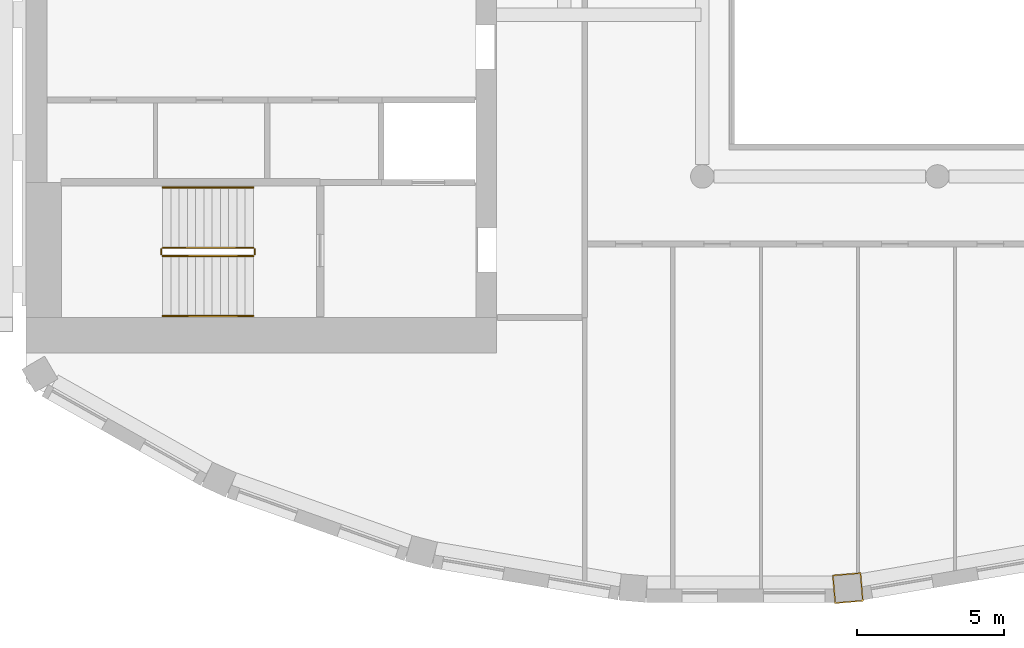
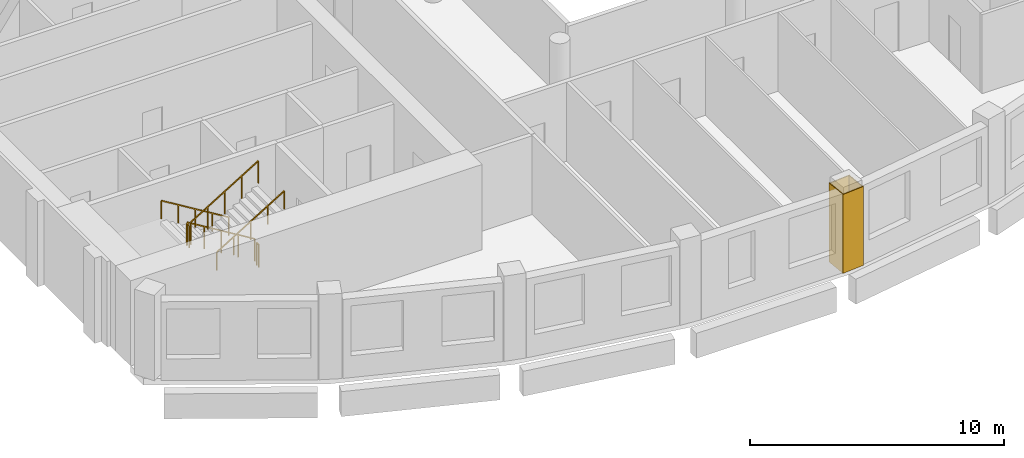
# One storey, part 11 of 15: 6 railings, 1 covering.
"""IFC4 building model written with IfcOpenShell, lengths in metres."""

from ifc_helpers import new_model, si_unit, direction, frame, origin, origin_2d, place, context, subcontext, project, spatial, polyline, rectangle, outline, extrude, material, layer, layer_set, type_object, element, save


model = new_model("IFC4")

# Units and contexts
model_context = context("Model", 3, precision=1e-05, world=origin(), true_north=direction((0.0, 1.0)))
body_context = subcontext(model_context, "Body", "Model", "MODEL_VIEW")
ifc_project = project(units=[si_unit("LENGTHUNIT", "METRE"), si_unit("AREAUNIT", "SQUARE_METRE"), si_unit("VOLUMEUNIT", "CUBIC_METRE"), si_unit("PLANEANGLEUNIT", "RADIAN"), si_unit("MASSUNIT", "GRAM", prefix="KILO")], contexts=[model_context])

# Site, building, storey
site_placement = place(None, origin())
site = spatial("IfcSite", under=ifc_project, at=site_placement, CompositionType="ELEMENT")
building_placement = place(site_placement, origin())
building = spatial("IfcBuilding", under=site, at=building_placement, Name="Cypress Arch Tower", CompositionType="ELEMENT")
storey_placement = place(building_placement, frame((0.0, 0.0, 313.10009765625)))
storey = spatial("IfcBuildingStorey", under=building, at=storey_placement, Name="L71", CompositionType="ELEMENT", Elevation=313.10009765625)

# Covering
ifc_material_1 = material(Name="Painted plasterboard column casing")
ifc_layer = layer(ifc_material_1, 0.0400390625)
ifc_layer_set = layer_set([ifc_layer], Name="Column casing CK40")
covering_type = type_object("IfcCoveringType", Name="Column casing CK40", PredefinedType="CLADDING", material=ifc_layer_set)
covering_placement = place(storey_placement, origin())
element("IfcCovering", 1, at=covering_placement, inside=storey, type_object=covering_type, Name="Column casing L71 CC15", PredefinedType="CLADDING", context=body_context, shape_type="SweptSolid", body=[
    extrude(outline(polyline([(-2.495361328125, -24.533203125), (-2.57861328125, -23.556884765625), (-1.602294921875, -23.473388671875), (-1.518798828125, -24.44970703125), (-2.495361328125, -24.533203125)]), holes=[polyline([(-2.458740234375, -24.489990234375), (-1.56201171875, -24.413330078125), (-1.638671875, -23.5166015625), (-2.535400390625, -23.59326171875), (-2.458740234375, -24.489990234375)])]), origin(), (0.0, 0.0, 1.0), 3.7998046875),
])

# Railings
ifc_material_2 = material(Name="Black powder-coated steel square bar 48 mm", Category="steel")
railing_type_1 = type_object("IfcRailingType", Name="Stair handrail HR1", PredefinedType="HANDRAIL", material=ifc_material_2)
railing_1_placement = place(storey_placement, frame((-22.27490234375, -10.375, 0.170654296875)))
element("IfcRailing", 2, at=railing_1_placement, inside=storey, type_object=railing_type_1, Name="L71 A stair handrail 1", PredefinedType="HANDRAIL", context=body_context, shape_type="SweptSolid", body=[
    extrude(rectangle(XDim=0.048095703125, YDim=0.048095703125, at=origin_2d()), frame((0.0, 0.0, 0.8759765625), z_axis=(-0.853666305674, 0.0, 0.52082035152), x_axis=(0.0, -1.0, 0.0)), (0.0, 0.0, 1.0), 3.608154296875),
    extrude(rectangle(XDim=0.0419921875, YDim=0.0419921875, at=origin_2d()), origin(), (0.0, 0.0, 1.0), 0.851806640625),
    extrude(rectangle(XDim=0.0419921875, YDim=0.0419921875, at=origin_2d()), frame((-0.77001953125, 0.0, 0.4697265625)), (0.0, 0.0, 1.0), 0.851806640625),
    extrude(rectangle(XDim=0.0419921875, YDim=0.0419921875, at=origin_2d()), frame((-1.5400390625, 0.0, 0.939453125)), (0.0, 0.0, 1.0), 0.851806640625),
    extrude(rectangle(XDim=0.0419921875, YDim=0.0419921875, at=origin_2d()), frame((-2.31005859375, 0.0, 1.409423828125)), (0.0, 0.0, 1.0), 0.851806640625),
    extrude(rectangle(XDim=0.0419921875, YDim=0.0419921875, at=origin_2d()), frame((-3.080078125, 0.0, 1.879150390625)), (0.0, 0.0, 1.0), 0.851806640625),
])
railing_2_placement = place(storey_placement, frame((-25.35498046875, -14.75, 2.220703125)))
element("IfcRailing", 3, at=railing_2_placement, inside=storey, type_object=railing_type_1, Name="L71 A stair handrail 2", PredefinedType="HANDRAIL", context=body_context, shape_type="SweptSolid", body=[
    extrude(rectangle(XDim=0.048095703125, YDim=0.048095703125, at=origin_2d()), frame((0.0, 0.0, 0.8759765625), z_axis=(0.853666305674, 0.0, 0.52082035152), x_axis=(0.0, 1.0, 0.0)), (0.0, 0.0, 1.0), 3.608154296875),
    extrude(rectangle(XDim=0.0419921875, YDim=0.0419921875, at=origin_2d()), origin(), (0.0, 0.0, 1.0), 0.851806640625),
    extrude(rectangle(XDim=0.0419921875, YDim=0.0419921875, at=origin_2d()), frame((0.77001953125, 0.0, 0.4697265625)), (0.0, 0.0, 1.0), 0.851806640625),
    extrude(rectangle(XDim=0.0419921875, YDim=0.0419921875, at=origin_2d()), frame((1.5400390625, 0.0, 0.939453125)), (0.0, 0.0, 1.0), 0.851806640625),
    extrude(rectangle(XDim=0.0419921875, YDim=0.0419921875, at=origin_2d()), frame((2.31005859375, 0.0, 1.409423828125)), (0.0, 0.0, 1.0), 0.851806640625),
    extrude(rectangle(XDim=0.0419921875, YDim=0.0419921875, at=origin_2d()), frame((3.080078125, 0.0, 1.879150390625)), (0.0, 0.0, 1.0), 0.851806640625),
])
ifc_material_3 = material(Name="Black powder-coated steel balusters", Category="steel")
railing_type_2 = type_object("IfcRailingType", Name="Stair well guard G1", PredefinedType="GUARDRAIL", material=ifc_material_3)
railing_3_placement = place(storey_placement, frame((-22.27490234375, -12.425048828125, 0.170654296875)))
element("IfcRailing", 4, at=railing_3_placement, inside=storey, type_object=railing_type_2, Name="L71 A stair guard 1", PredefinedType="GUARDRAIL", context=body_context, shape_type="SweptSolid", body=[
    extrude(rectangle(XDim=0.048095703125, YDim=0.048095703125, at=origin_2d()), frame((0.0, 0.0, 1.076171875), z_axis=(-0.853666305674, 0.0, 0.52082035152), x_axis=(0.0, -1.0, 0.0)), (0.0, 0.0, 1.0), 3.608154296875),
    extrude(rectangle(XDim=0.0419921875, YDim=0.0419921875, at=origin_2d()), origin(), (0.0, 0.0, 1.0), 1.052001953125),
    extrude(rectangle(XDim=0.0419921875, YDim=0.0419921875, at=origin_2d()), frame((-0.77001953125, 0.0, 0.4697265625)), (0.0, 0.0, 1.0), 1.052001953125),
    extrude(rectangle(XDim=0.0419921875, YDim=0.0419921875, at=origin_2d()), frame((-1.5400390625, 0.0, 0.939453125)), (0.0, 0.0, 1.0), 1.052001953125),
    extrude(rectangle(XDim=0.0419921875, YDim=0.0419921875, at=origin_2d()), frame((-2.31005859375, 0.0, 1.409423828125)), (0.0, 0.0, 1.0), 1.052001953125),
    extrude(rectangle(XDim=0.0419921875, YDim=0.0419921875, at=origin_2d()), frame((-3.080078125, 0.0, 1.879150390625)), (0.0, 0.0, 1.0), 1.052001953125),
])
railing_4_placement = place(storey_placement, frame((-25.405029296875, -12.47509765625, 2.0498046875)))
element("IfcRailing", 5, at=railing_4_placement, inside=storey, type_object=railing_type_2, Name="L71 A stair guard 2", PredefinedType="GUARDRAIL", context=body_context, shape_type="SweptSolid", body=[
    extrude(rectangle(XDim=0.048095703125, YDim=0.048095703125, at=origin_2d()), frame((0.0, 0.0, 1.076171875), z_axis=(0.0, -1.0, 0.0), x_axis=(1.0, 0.0, 0.0)), (0.0, 0.0, 1.0), 0.1748046875),
    extrude(rectangle(XDim=0.0419921875, YDim=0.0419921875, at=origin_2d()), origin(), (0.0, 0.0, 1.0), 1.052001953125),
    extrude(rectangle(XDim=0.0419921875, YDim=0.0419921875, at=origin_2d()), frame((0.0, -0.1748046875, 0.0)), (0.0, 0.0, 1.0), 1.052001953125),
])
railing_5_placement = place(storey_placement, frame((-25.35498046875, -12.699951171875, 2.220703125)))
element("IfcRailing", 6, at=railing_5_placement, inside=storey, type_object=railing_type_2, Name="L71 A stair guard 3", PredefinedType="GUARDRAIL", context=body_context, shape_type="SweptSolid", body=[
    extrude(rectangle(XDim=0.048095703125, YDim=0.048095703125, at=origin_2d()), frame((0.0, 0.0, 1.076171875), z_axis=(0.853666305674, 0.0, 0.52082035152), x_axis=(0.0, 1.0, 0.0)), (0.0, 0.0, 1.0), 3.608154296875),
    extrude(rectangle(XDim=0.0419921875, YDim=0.0419921875, at=origin_2d()), origin(), (0.0, 0.0, 1.0), 1.052001953125),
    extrude(rectangle(XDim=0.0419921875, YDim=0.0419921875, at=origin_2d()), frame((0.77001953125, 0.0, 0.4697265625)), (0.0, 0.0, 1.0), 1.052001953125),
    extrude(rectangle(XDim=0.0419921875, YDim=0.0419921875, at=origin_2d()), frame((1.5400390625, 0.0, 0.939453125)), (0.0, 0.0, 1.0), 1.052001953125),
    extrude(rectangle(XDim=0.0419921875, YDim=0.0419921875, at=origin_2d()), frame((2.31005859375, 0.0, 1.409423828125)), (0.0, 0.0, 1.0), 1.052001953125),
    extrude(rectangle(XDim=0.0419921875, YDim=0.0419921875, at=origin_2d()), frame((3.080078125, 0.0, 1.879150390625)), (0.0, 0.0, 1.0), 1.052001953125),
])
railing_6_placement = place(storey_placement, frame((-22.22509765625, -12.47509765625, 0.0)))
element("IfcRailing", 7, at=railing_6_placement, inside=storey, type_object=railing_type_2, Name="L71 A stair guard 4", PredefinedType="GUARDRAIL", context=body_context, shape_type="SweptSolid", body=[
    extrude(rectangle(XDim=0.048095703125, YDim=0.048095703125, at=origin_2d()), frame((0.0, 0.0, 1.076171875), z_axis=(0.0, -1.0, 0.0), x_axis=(1.0, 0.0, 0.0)), (0.0, 0.0, 1.0), 0.1748046875),
    extrude(rectangle(XDim=0.0419921875, YDim=0.0419921875, at=origin_2d()), origin(), (0.0, 0.0, 1.0), 1.052001953125),
    extrude(rectangle(XDim=0.0419921875, YDim=0.0419921875, at=origin_2d()), frame((0.0, -0.1748046875, 0.0)), (0.0, 0.0, 1.0), 1.052001953125),
])

save(model, "model.ifc")
